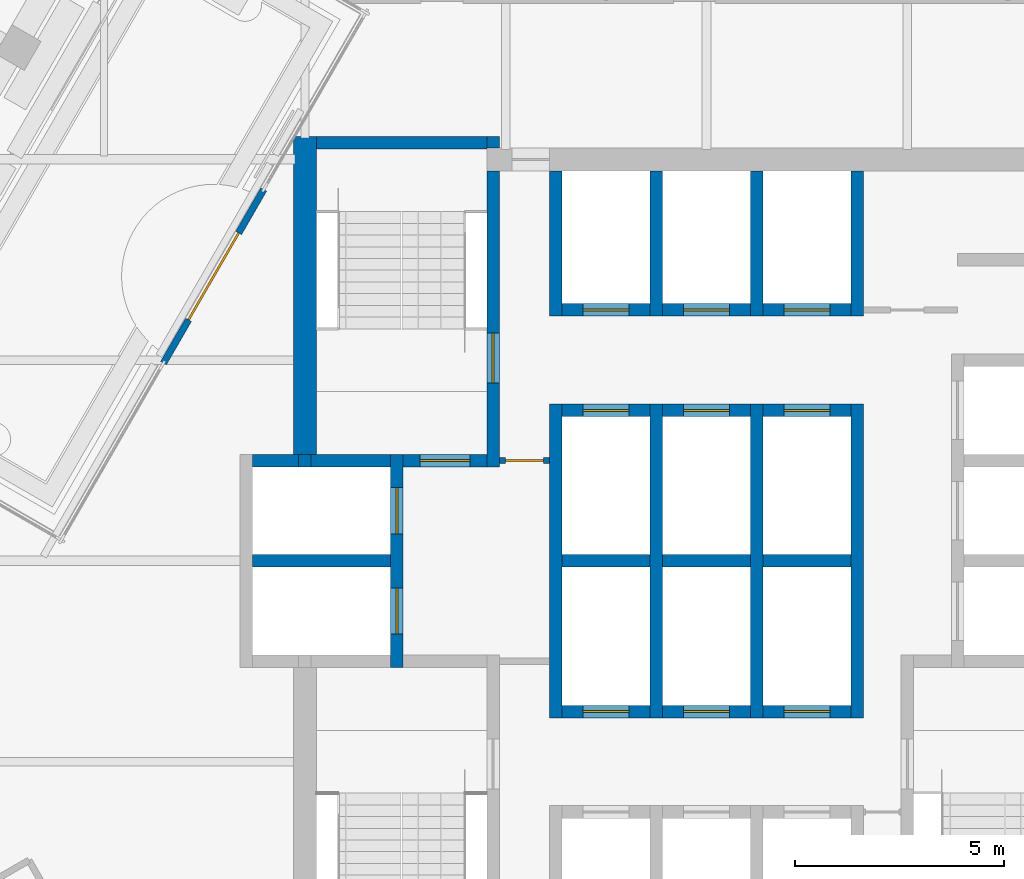
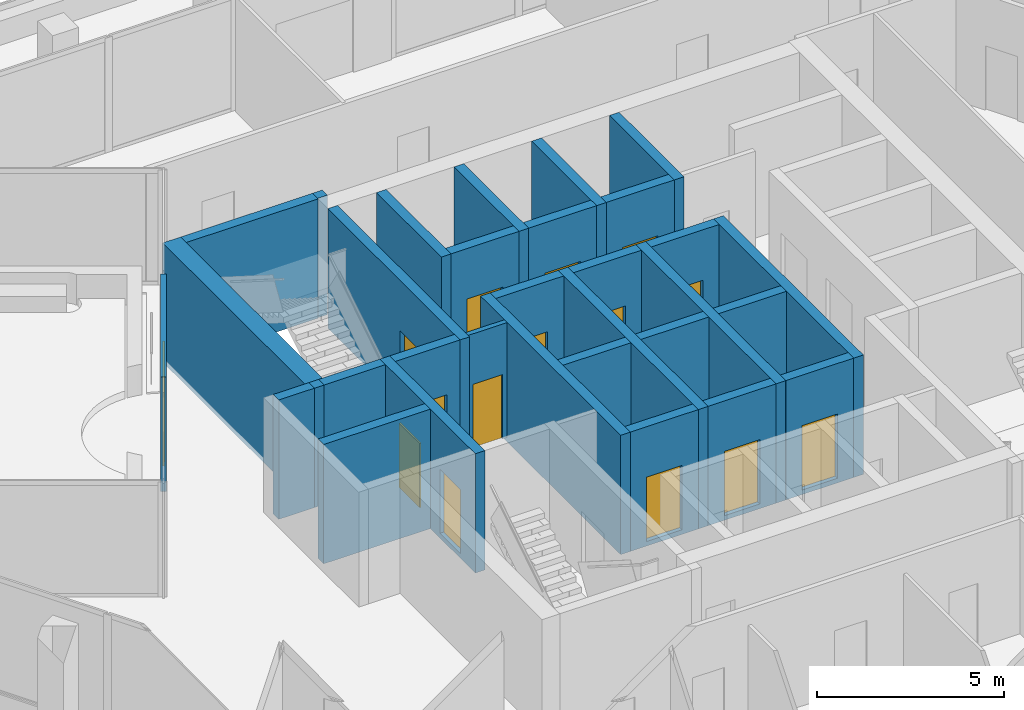
# One storey, part 11 of 16: 32 walls, 15 doors, 15 openings.
"""IFC4 building model written with IfcOpenShell, lengths in metres."""

from ifc_helpers import new_model, si_unit, direction, frame, frame_2d, origin, place, context, subcontext, project, spatial, rectangle, extrude, material, layer, layer_set, type_object, element, fill, save


model = new_model("IFC4")

# Units and contexts
model_context = context("Model", 3, precision=1e-05, world=origin(), true_north=direction((0.0, 1.0)))
body_context = subcontext(model_context, "Body", "Model", "MODEL_VIEW")
ifc_project = project(units=[si_unit("LENGTHUNIT", "METRE"), si_unit("AREAUNIT", "SQUARE_METRE"), si_unit("VOLUMEUNIT", "CUBIC_METRE"), si_unit("PLANEANGLEUNIT", "RADIAN"), si_unit("MASSUNIT", "GRAM", prefix="KILO")], contexts=[model_context])

# Site, building, storey
site_placement = place(None, origin())
site = spatial("IfcSite", under=ifc_project, at=site_placement, CompositionType="ELEMENT")
building_placement = place(site_placement, origin())
building = spatial("IfcBuilding", under=site, at=building_placement, Name="Kolab Exchange Tower", CompositionType="ELEMENT")
storey_placement = place(building_placement, frame((0.0, 0.0, 254.0)))
storey = spatial("IfcBuildingStorey", under=building, at=storey_placement, Name="L56", CompositionType="ELEMENT", Elevation=254.0)

# Wall
ifc_material_1 = material(Name="Concrete C50/60", Category="concrete")
ifc_layer_1 = layer(ifc_material_1, 0.550048828125)
ifc_layer_set_1 = layer_set([ifc_layer_1], Name="Concrete C50/60")
wall_type_1 = type_object("IfcWallType", Name="CORE WALL 550 C50/60", PredefinedType="SHEAR", material=ifc_layer_set_1)
wall_1_placement = place(storey_placement, frame((-9.60009765625, 2.550048828125, -0.14990234375), z_axis=(0.0, 0.0, 1.0), x_axis=(0.0, 1.0, 0.0)))
element("IfcWall", 1, at=wall_1_placement, inside=storey, type_object=wall_type_1, Name="wall/L56/core/037", PredefinedType="SHEAR", context=body_context, shape_type="SweptSolid", body=[
    extrude(rectangle(XDim=7.599853515625, YDim=0.550048828125, at=frame_2d((3.7998046875, 0.0))), origin(), (0.0, 0.0, 1.0), 3.89990234375),
])

# Wall, opening, door
ifc_material_2 = material(Name="Aluminium EN AW-6063 T6", Category="aluminium")
ifc_layer_2 = layer(ifc_material_2, 0.159912109375)
ifc_layer_set_2 = layer_set([ifc_layer_2], Name="Aluminium EN AW-6063 T6")
wall_type_2 = type_object("IfcWallType", Name="DOOR SURROUND WALL 160 ALUMINIUM FRAMED", PredefinedType="PARTITIONING", material=ifc_layer_set_2)
wall_2_placement = place(storey_placement, frame((-12.980224609375, 4.726806640625, 0.0), z_axis=(0.0, 0.0, 1.0), x_axis=(0.500011970786, 0.866018492338, 0.0)))
wall_2 = element("IfcWall", 2, at=wall_2_placement, inside=storey, type_object=wall_type_2, Name="Door surround wall", PredefinedType="PARTITIONING", context=body_context, shape_type="SweptSolid", body=[
    extrude(rectangle(XDim=4.79345703125, YDim=0.159912109375, at=frame_2d((2.396728515625, 0.0))), origin(), (0.0, 0.0, 1.0), 3.75),
])
opening_1_placement = place(wall_2_placement, frame((1.19677734375, 0.0, 0.0)))
opening_1 = element("IfcOpeningElement", 3, at=opening_1_placement, cuts=wall_2, Name="Opening GD1-107", PredefinedType="OPENING", context=body_context, shape_type="SweptSolid", body=[
    extrude(rectangle(XDim=2.39990234375, YDim=2.39990234375, at=frame_2d((1.199951171875, 1.199951171875))), frame((0.0, 0.08984375, 0.0), z_axis=(0.0, -1.0, 0.0), x_axis=(1.0, 0.0, 0.0)), (0.0, 0.0, 1.0), 0.179931640625),
])
door_type_1 = type_object("IfcDoorType", Name="LOGGIA SLIDING GLASS DOOR 2400 X 2400", OperationType="DOUBLE_DOOR_SINGLE_SWING", PredefinedType="DOOR", material=ifc_material_2)
door_1_placement = place(opening_1_placement, origin())
door_1 = element("IfcDoor", 4, at=door_1_placement, inside=storey, type_object=door_type_1, Name="Loggia door", OperationType="DOUBLE_DOOR_SLIDING", OverallHeight=2.39990234375, OverallWidth=2.39990234375, PredefinedType="DOOR", context=body_context, shape_type="SweptSolid", body=[
    extrude(rectangle(XDim=2.39990234375, YDim=2.39990234375, at=frame_2d((1.199951171875, 1.199951171875))), frame((0.0, 0.02490234375, 0.0), z_axis=(0.0, -1.0, 0.0), x_axis=(1.0, 0.0, 0.0)), (0.0, 0.0, 1.0), 0.050048828125),
])
fill(opening_1, door_1)

ifc_layer_3 = layer(ifc_material_1, 0.300048828125)
ifc_layer_set_3 = layer_set([ifc_layer_3], Name="Concrete C50/60")
wall_type_3 = type_object("IfcWallType", Name="LIFT SHAFT WALL 300 C50/60", PredefinedType="STANDARD", material=ifc_layer_set_3)
wall_3_placement = place(storey_placement, frame((-3.449951171875, -3.60009765625, -0.14990234375), z_axis=(0.0, 0.0, 1.0), x_axis=(1.0, 0.0, 0.0)))
wall_3 = element("IfcWall", 5, at=wall_3_placement, inside=storey, type_object=wall_type_3, Name="wall/L56/core/006", PredefinedType="STANDARD", context=body_context, shape_type="SweptSolid", body=[
    extrude(rectangle(XDim=2.099853515625, YDim=0.300048828125, at=frame_2d((1.0498046875, 0.0))), origin(), (0.0, 0.0, 1.0), 3.89990234375),
])
opening_2_placement = place(wall_3_placement, frame((0.5, 0.0, 0.14990234375)))
opening_2 = element("IfcOpeningElement", 6, at=opening_2_placement, cuts=wall_3, Name="Opening LD1-118", PredefinedType="OPENING", context=body_context, shape_type="SweptSolid", body=[
    extrude(rectangle(XDim=1.10009765625, YDim=2.10009765625, at=frame_2d((0.550048828125, 1.050048828125))), frame((0.0, 0.16015625, 0.0), z_axis=(0.0, -1.0, 0.0), x_axis=(1.0, 0.0, 0.0)), (0.0, 0.0, 1.0), 0.320068359375),
])
ifc_material_3 = material(Name="Stainless steel 316", Category="steel")
door_type_2 = type_object("IfcDoorType", Name="LANDING DOOR 1100 PASSENGER", OperationType="DOUBLE_DOOR_SLIDING", PredefinedType="DOOR", material=ifc_material_3)
door_2_placement = place(opening_2_placement, origin())
door_2 = element("IfcDoor", 7, at=door_2_placement, inside=storey, type_object=door_type_2, Name="Landing door HR7", OperationType="DOUBLE_DOOR_SLIDING", OverallHeight=2.10009765625, OverallWidth=1.10009765625, PredefinedType="DOOR", context=body_context, shape_type="SweptSolid", body=[
    extrude(rectangle(XDim=1.10009765625, YDim=2.10009765625, at=frame_2d((0.550048828125, 1.050048828125))), frame((0.0, 0.02490234375, 0.0), z_axis=(0.0, -1.0, 0.0), x_axis=(1.0, 0.0, 0.0)), (0.0, 0.0, 1.0), 0.050048828125),
])
fill(opening_2, door_2)

wall_4_placement = place(storey_placement, frame((-1.050048828125, -3.60009765625, -0.14990234375), z_axis=(0.0, 0.0, 1.0), x_axis=(1.0, 0.0, 0.0)))
wall_4 = element("IfcWall", 8, at=wall_4_placement, inside=storey, type_object=wall_type_3, Name="wall/L56/core/007", PredefinedType="STANDARD", context=body_context, shape_type="SweptSolid", body=[
    extrude(rectangle(XDim=2.10009765625, YDim=0.300048828125, at=frame_2d((1.050048828125, 0.0))), origin(), (0.0, 0.0, 1.0), 3.89990234375),
])
opening_3_placement = place(wall_4_placement, frame((0.5, 0.0, 0.14990234375)))
opening_3 = element("IfcOpeningElement", 9, at=opening_3_placement, cuts=wall_4, Name="Opening LD1-119", PredefinedType="OPENING", context=body_context, shape_type="SweptSolid", body=[
    extrude(rectangle(XDim=1.10009765625, YDim=2.10009765625, at=frame_2d((0.550048828125, 1.050048828125))), frame((0.0, 0.16015625, 0.0), z_axis=(0.0, -1.0, 0.0), x_axis=(1.0, 0.0, 0.0)), (0.0, 0.0, 1.0), 0.320068359375),
])
door_3_placement = place(opening_3_placement, origin())
door_3 = element("IfcDoor", 10, at=door_3_placement, inside=storey, type_object=door_type_2, Name="Landing door HR8", OperationType="DOUBLE_DOOR_SLIDING", OverallHeight=2.10009765625, OverallWidth=1.10009765625, PredefinedType="DOOR", context=body_context, shape_type="SweptSolid", body=[
    extrude(rectangle(XDim=1.10009765625, YDim=2.10009765625, at=frame_2d((0.550048828125, 1.050048828125))), frame((0.0, 0.02490234375, 0.0), z_axis=(0.0, -1.0, 0.0), x_axis=(1.0, 0.0, 0.0)), (0.0, 0.0, 1.0), 0.050048828125),
])
fill(opening_3, door_3)

wall_5_placement = place(storey_placement, frame((1.35009765625, -3.60009765625, -0.14990234375), z_axis=(0.0, 0.0, 1.0), x_axis=(1.0, 0.0, 0.0)))
wall_5 = element("IfcWall", 11, at=wall_5_placement, inside=storey, type_object=wall_type_3, Name="wall/L56/core/008", PredefinedType="STANDARD", context=body_context, shape_type="SweptSolid", body=[
    extrude(rectangle(XDim=2.099853515625, YDim=0.300048828125, at=frame_2d((1.0498046875, 0.0))), origin(), (0.0, 0.0, 1.0), 3.89990234375),
])
opening_4_placement = place(wall_5_placement, frame((0.5, 0.0, 0.14990234375)))
opening_4 = element("IfcOpeningElement", 12, at=opening_4_placement, cuts=wall_5, Name="Opening LD1-120", PredefinedType="OPENING", context=body_context, shape_type="SweptSolid", body=[
    extrude(rectangle(XDim=1.10009765625, YDim=2.10009765625, at=frame_2d((0.550048828125, 1.050048828125))), frame((0.0, 0.16015625, 0.0), z_axis=(0.0, -1.0, 0.0), x_axis=(1.0, 0.0, 0.0)), (0.0, 0.0, 1.0), 0.320068359375),
])
door_4_placement = place(opening_4_placement, origin())
door_4 = element("IfcDoor", 13, at=door_4_placement, inside=storey, type_object=door_type_2, Name="Landing door HR9", OperationType="DOUBLE_DOOR_SLIDING", OverallHeight=2.10009765625, OverallWidth=1.10009765625, PredefinedType="DOOR", context=body_context, shape_type="SweptSolid", body=[
    extrude(rectangle(XDim=1.10009765625, YDim=2.10009765625, at=frame_2d((0.550048828125, 1.050048828125))), frame((0.0, 0.02490234375, 0.0), z_axis=(0.0, -1.0, 0.0), x_axis=(1.0, 0.0, 0.0)), (0.0, 0.0, 1.0), 0.050048828125),
])
fill(opening_4, door_4)

# Walls
wall_6_placement = place(storey_placement, frame((-10.85009765625, 0.0, -0.14990234375), z_axis=(0.0, 0.0, 1.0), x_axis=(1.0, 0.0, 0.0)))
element("IfcWall", 14, at=wall_6_placement, inside=storey, type_object=wall_type_3, Name="wall/L56/core/014", PredefinedType="STANDARD", context=body_context, shape_type="SweptSolid", body=[
    extrude(rectangle(XDim=3.300048828125, YDim=0.300048828125, at=frame_2d((1.64990234375, 0.0))), origin(), (0.0, 0.0, 1.0), 3.89990234375),
])
wall_7_placement = place(storey_placement, frame((-3.449951171875, 0.0, -0.14990234375), z_axis=(0.0, 0.0, 1.0), x_axis=(1.0, 0.0, 0.0)))
element("IfcWall", 15, at=wall_7_placement, inside=storey, type_object=wall_type_3, Name="wall/L56/core/015", PredefinedType="STANDARD", context=body_context, shape_type="SweptSolid", body=[
    extrude(rectangle(XDim=2.099853515625, YDim=0.300048828125, at=frame_2d((1.0498046875, 0.0))), origin(), (0.0, 0.0, 1.0), 3.89990234375),
])
wall_8_placement = place(storey_placement, frame((-1.050048828125, 0.0, -0.14990234375), z_axis=(0.0, 0.0, 1.0), x_axis=(1.0, 0.0, 0.0)))
element("IfcWall", 16, at=wall_8_placement, inside=storey, type_object=wall_type_3, Name="wall/L56/core/016", PredefinedType="STANDARD", context=body_context, shape_type="SweptSolid", body=[
    extrude(rectangle(XDim=2.10009765625, YDim=0.300048828125, at=frame_2d((1.050048828125, 0.0))), origin(), (0.0, 0.0, 1.0), 3.89990234375),
])
wall_9_placement = place(storey_placement, frame((1.35009765625, 0.0, -0.14990234375), z_axis=(0.0, 0.0, 1.0), x_axis=(1.0, 0.0, 0.0)))
element("IfcWall", 17, at=wall_9_placement, inside=storey, type_object=wall_type_3, Name="wall/L56/core/017", PredefinedType="STANDARD", context=body_context, shape_type="SweptSolid", body=[
    extrude(rectangle(XDim=2.099853515625, YDim=0.300048828125, at=frame_2d((1.0498046875, 0.0))), origin(), (0.0, 0.0, 1.0), 3.89990234375),
])
wall_10_placement = place(storey_placement, frame((-10.85009765625, 2.39990234375, -0.14990234375), z_axis=(0.0, 0.0, 1.0), x_axis=(1.0, 0.0, 0.0)))
element("IfcWall", 18, at=wall_10_placement, inside=storey, type_object=wall_type_3, Name="wall/L56/core/019", PredefinedType="STANDARD", context=body_context, shape_type="SweptSolid", body=[
    extrude(rectangle(XDim=1.10009765625, YDim=0.300048828125, at=frame_2d((0.550048828125, 0.0))), origin(), (0.0, 0.0, 1.0), 3.89990234375),
])

# Wall, opening, door
wall_11_placement = place(storey_placement, frame((-3.449951171875, 3.60009765625, -0.14990234375), z_axis=(0.0, 0.0, 1.0), x_axis=(1.0, 0.0, 0.0)))
wall_11 = element("IfcWall", 19, at=wall_11_placement, inside=storey, type_object=wall_type_3, Name="wall/L56/core/023", PredefinedType="STANDARD", context=body_context, shape_type="SweptSolid", body=[
    extrude(rectangle(XDim=2.099853515625, YDim=0.300048828125, at=frame_2d((1.0498046875, 0.0))), origin(), (0.0, 0.0, 1.0), 3.89990234375),
])
opening_5_placement = place(wall_11_placement, frame((0.5, 0.0, 0.14990234375)))
opening_5 = element("IfcOpeningElement", 20, at=opening_5_placement, cuts=wall_11, Name="Opening LD1-115", PredefinedType="OPENING", context=body_context, shape_type="SweptSolid", body=[
    extrude(rectangle(XDim=1.10009765625, YDim=2.10009765625, at=frame_2d((0.550048828125, 1.050048828125))), frame((0.0, 0.16015625, 0.0), z_axis=(0.0, -1.0, 0.0), x_axis=(1.0, 0.0, 0.0)), (0.0, 0.0, 1.0), 0.320068359375),
])
door_5_placement = place(opening_5_placement, origin())
door_5 = element("IfcDoor", 21, at=door_5_placement, inside=storey, type_object=door_type_2, Name="Landing door HR4", OperationType="DOUBLE_DOOR_SLIDING", OverallHeight=2.10009765625, OverallWidth=1.10009765625, PredefinedType="DOOR", context=body_context, shape_type="SweptSolid", body=[
    extrude(rectangle(XDim=1.10009765625, YDim=2.10009765625, at=frame_2d((0.550048828125, 1.050048828125))), frame((0.0, 0.02490234375, 0.0), z_axis=(0.0, -1.0, 0.0), x_axis=(1.0, 0.0, 0.0)), (0.0, 0.0, 1.0), 0.050048828125),
])
fill(opening_5, door_5)

wall_12_placement = place(storey_placement, frame((-1.050048828125, 3.60009765625, -0.14990234375), z_axis=(0.0, 0.0, 1.0), x_axis=(1.0, 0.0, 0.0)))
wall_12 = element("IfcWall", 22, at=wall_12_placement, inside=storey, type_object=wall_type_3, Name="wall/L56/core/024", PredefinedType="STANDARD", context=body_context, shape_type="SweptSolid", body=[
    extrude(rectangle(XDim=2.10009765625, YDim=0.300048828125, at=frame_2d((1.050048828125, 0.0))), origin(), (0.0, 0.0, 1.0), 3.89990234375),
])
opening_6_placement = place(wall_12_placement, frame((0.5, 0.0, 0.14990234375)))
opening_6 = element("IfcOpeningElement", 23, at=opening_6_placement, cuts=wall_12, Name="Opening LD1-116", PredefinedType="OPENING", context=body_context, shape_type="SweptSolid", body=[
    extrude(rectangle(XDim=1.10009765625, YDim=2.10009765625, at=frame_2d((0.550048828125, 1.050048828125))), frame((0.0, 0.16015625, 0.0), z_axis=(0.0, -1.0, 0.0), x_axis=(1.0, 0.0, 0.0)), (0.0, 0.0, 1.0), 0.320068359375),
])
door_6_placement = place(opening_6_placement, origin())
door_6 = element("IfcDoor", 24, at=door_6_placement, inside=storey, type_object=door_type_2, Name="Landing door HR5", OperationType="DOUBLE_DOOR_SLIDING", OverallHeight=2.10009765625, OverallWidth=1.10009765625, PredefinedType="DOOR", context=body_context, shape_type="SweptSolid", body=[
    extrude(rectangle(XDim=1.10009765625, YDim=2.10009765625, at=frame_2d((0.550048828125, 1.050048828125))), frame((0.0, 0.02490234375, 0.0), z_axis=(0.0, -1.0, 0.0), x_axis=(1.0, 0.0, 0.0)), (0.0, 0.0, 1.0), 0.050048828125),
])
fill(opening_6, door_6)

wall_13_placement = place(storey_placement, frame((1.35009765625, 3.60009765625, -0.14990234375), z_axis=(0.0, 0.0, 1.0), x_axis=(1.0, 0.0, 0.0)))
wall_13 = element("IfcWall", 25, at=wall_13_placement, inside=storey, type_object=wall_type_3, Name="wall/L56/core/025", PredefinedType="STANDARD", context=body_context, shape_type="SweptSolid", body=[
    extrude(rectangle(XDim=2.099853515625, YDim=0.300048828125, at=frame_2d((1.0498046875, 0.0))), origin(), (0.0, 0.0, 1.0), 3.89990234375),
])
opening_7_placement = place(wall_13_placement, frame((0.5, 0.0, 0.14990234375)))
opening_7 = element("IfcOpeningElement", 26, at=opening_7_placement, cuts=wall_13, Name="Opening LD1-117", PredefinedType="OPENING", context=body_context, shape_type="SweptSolid", body=[
    extrude(rectangle(XDim=1.10009765625, YDim=2.10009765625, at=frame_2d((0.550048828125, 1.050048828125))), frame((0.0, 0.16015625, 0.0), z_axis=(0.0, -1.0, 0.0), x_axis=(1.0, 0.0, 0.0)), (0.0, 0.0, 1.0), 0.320068359375),
])
door_7_placement = place(opening_7_placement, origin())
door_7 = element("IfcDoor", 27, at=door_7_placement, inside=storey, type_object=door_type_2, Name="Landing door HR6", OperationType="DOUBLE_DOOR_SLIDING", OverallHeight=2.10009765625, OverallWidth=1.10009765625, PredefinedType="DOOR", context=body_context, shape_type="SweptSolid", body=[
    extrude(rectangle(XDim=1.10009765625, YDim=2.10009765625, at=frame_2d((0.550048828125, 1.050048828125))), frame((0.0, 0.02490234375, 0.0), z_axis=(0.0, -1.0, 0.0), x_axis=(1.0, 0.0, 0.0)), (0.0, 0.0, 1.0), 0.050048828125),
])
fill(opening_7, door_7)

wall_14_placement = place(storey_placement, frame((-3.449951171875, 6.0, -0.14990234375), z_axis=(0.0, 0.0, 1.0), x_axis=(1.0, 0.0, 0.0)))
wall_14 = element("IfcWall", 28, at=wall_14_placement, inside=storey, type_object=wall_type_3, Name="wall/L56/core/027", PredefinedType="STANDARD", context=body_context, shape_type="SweptSolid", body=[
    extrude(rectangle(XDim=2.099853515625, YDim=0.300048828125, at=frame_2d((1.0498046875, 0.0))), origin(), (0.0, 0.0, 1.0), 3.89990234375),
])
opening_8_placement = place(wall_14_placement, frame((0.5, 0.0, 0.14990234375)))
opening_8 = element("IfcOpeningElement", 29, at=opening_8_placement, cuts=wall_14, Name="Opening LD1-109", PredefinedType="OPENING", context=body_context, shape_type="SweptSolid", body=[
    extrude(rectangle(XDim=1.10009765625, YDim=2.10009765625, at=frame_2d((0.550048828125, 1.050048828125))), frame((0.0, 0.16015625, 0.0), z_axis=(0.0, -1.0, 0.0), x_axis=(1.0, 0.0, 0.0)), (0.0, 0.0, 1.0), 0.320068359375),
])
door_8_placement = place(opening_8_placement, origin())
door_8 = element("IfcDoor", 30, at=door_8_placement, inside=storey, type_object=door_type_2, Name="Landing door HR1", OperationType="DOUBLE_DOOR_SLIDING", OverallHeight=2.10009765625, OverallWidth=1.10009765625, PredefinedType="DOOR", context=body_context, shape_type="SweptSolid", body=[
    extrude(rectangle(XDim=1.10009765625, YDim=2.10009765625, at=frame_2d((0.550048828125, 1.050048828125))), frame((0.0, 0.02490234375, 0.0), z_axis=(0.0, -1.0, 0.0), x_axis=(1.0, 0.0, 0.0)), (0.0, 0.0, 1.0), 0.050048828125),
])
fill(opening_8, door_8)

wall_15_placement = place(storey_placement, frame((-1.050048828125, 6.0, -0.14990234375), z_axis=(0.0, 0.0, 1.0), x_axis=(1.0, 0.0, 0.0)))
wall_15 = element("IfcWall", 31, at=wall_15_placement, inside=storey, type_object=wall_type_3, Name="wall/L56/core/028", PredefinedType="STANDARD", context=body_context, shape_type="SweptSolid", body=[
    extrude(rectangle(XDim=2.10009765625, YDim=0.300048828125, at=frame_2d((1.050048828125, 0.0))), origin(), (0.0, 0.0, 1.0), 3.89990234375),
])
opening_9_placement = place(wall_15_placement, frame((0.5, 0.0, 0.14990234375)))
opening_9 = element("IfcOpeningElement", 32, at=opening_9_placement, cuts=wall_15, Name="Opening LD1-113", PredefinedType="OPENING", context=body_context, shape_type="SweptSolid", body=[
    extrude(rectangle(XDim=1.10009765625, YDim=2.10009765625, at=frame_2d((0.550048828125, 1.050048828125))), frame((0.0, 0.16015625, 0.0), z_axis=(0.0, -1.0, 0.0), x_axis=(1.0, 0.0, 0.0)), (0.0, 0.0, 1.0), 0.320068359375),
])
door_9_placement = place(opening_9_placement, origin())
door_9 = element("IfcDoor", 33, at=door_9_placement, inside=storey, type_object=door_type_2, Name="Landing door HR2", OperationType="DOUBLE_DOOR_SLIDING", OverallHeight=2.10009765625, OverallWidth=1.10009765625, PredefinedType="DOOR", context=body_context, shape_type="SweptSolid", body=[
    extrude(rectangle(XDim=1.10009765625, YDim=2.10009765625, at=frame_2d((0.550048828125, 1.050048828125))), frame((0.0, 0.02490234375, 0.0), z_axis=(0.0, -1.0, 0.0), x_axis=(1.0, 0.0, 0.0)), (0.0, 0.0, 1.0), 0.050048828125),
])
fill(opening_9, door_9)

wall_16_placement = place(storey_placement, frame((1.35009765625, 6.0, -0.14990234375), z_axis=(0.0, 0.0, 1.0), x_axis=(1.0, 0.0, 0.0)))
wall_16 = element("IfcWall", 34, at=wall_16_placement, inside=storey, type_object=wall_type_3, Name="wall/L56/core/029", PredefinedType="STANDARD", context=body_context, shape_type="SweptSolid", body=[
    extrude(rectangle(XDim=2.099853515625, YDim=0.300048828125, at=frame_2d((1.0498046875, 0.0))), origin(), (0.0, 0.0, 1.0), 3.89990234375),
])
opening_10_placement = place(wall_16_placement, frame((0.5, 0.0, 0.14990234375)))
opening_10 = element("IfcOpeningElement", 35, at=opening_10_placement, cuts=wall_16, Name="Opening LD1-114", PredefinedType="OPENING", context=body_context, shape_type="SweptSolid", body=[
    extrude(rectangle(XDim=1.10009765625, YDim=2.10009765625, at=frame_2d((0.550048828125, 1.050048828125))), frame((0.0, 0.16015625, 0.0), z_axis=(0.0, -1.0, 0.0), x_axis=(1.0, 0.0, 0.0)), (0.0, 0.0, 1.0), 0.320068359375),
])
door_10_placement = place(opening_10_placement, origin())
door_10 = element("IfcDoor", 36, at=door_10_placement, inside=storey, type_object=door_type_2, Name="Landing door HR3", OperationType="DOUBLE_DOOR_SLIDING", OverallHeight=2.10009765625, OverallWidth=1.10009765625, PredefinedType="DOOR", context=body_context, shape_type="SweptSolid", body=[
    extrude(rectangle(XDim=1.10009765625, YDim=2.10009765625, at=frame_2d((0.550048828125, 1.050048828125))), frame((0.0, 0.02490234375, 0.0), z_axis=(0.0, -1.0, 0.0), x_axis=(1.0, 0.0, 0.0)), (0.0, 0.0, 1.0), 0.050048828125),
])
fill(opening_10, door_10)

# Wall, openings, doors
wall_17_placement = place(storey_placement, frame((-7.39990234375, -2.550048828125, -0.14990234375), z_axis=(0.0, 0.0, 1.0), x_axis=(0.0, 1.0, 0.0)))
wall_17 = element("IfcWall", 37, at=wall_17_placement, inside=storey, type_object=wall_type_3, Name="wall/L56/core/038", PredefinedType="STANDARD", context=body_context, shape_type="SweptSolid", body=[
    extrude(rectangle(XDim=5.10009765625, YDim=0.300048828125, at=frame_2d((2.550048828125, 0.0))), origin(), (0.0, 0.0, 1.0), 3.89990234375),
])
opening_11_placement = place(wall_17_placement, frame((0.800048828125, 0.0, 0.14990234375)))
opening_11 = element("IfcOpeningElement", 38, at=opening_11_placement, cuts=wall_17, Name="Opening LD2-025", PredefinedType="OPENING", context=body_context, shape_type="SweptSolid", body=[
    extrude(rectangle(XDim=1.10009765625, YDim=2.10009765625, at=frame_2d((0.550048828125, 1.050048828125))), frame((0.0, 0.16015625, 0.0), z_axis=(0.0, -1.0, 0.0), x_axis=(1.0, 0.0, 0.0)), (0.0, 0.0, 1.0), 0.320068359375),
])
opening_12_placement = place(wall_17_placement, frame((3.199951171875, 0.0, 0.14990234375)))
opening_12 = element("IfcOpeningElement", 39, at=opening_12_placement, cuts=wall_17, Name="Opening LD2-026", PredefinedType="OPENING", context=body_context, shape_type="SweptSolid", body=[
    extrude(rectangle(XDim=1.10009765625, YDim=2.10009765625, at=frame_2d((0.550048828125, 1.050048828125))), frame((0.0, 0.16015625, 0.0), z_axis=(0.0, -1.0, 0.0), x_axis=(1.0, 0.0, 0.0)), (0.0, 0.0, 1.0), 0.320068359375),
])
door_type_3 = type_object("IfcDoorType", Name="LANDING DOOR 1100 FIREFIGHTING", OperationType="DOUBLE_DOOR_SLIDING", PredefinedType="DOOR", material=ifc_material_3)
door_11_placement = place(opening_11_placement, origin())
door_11 = element("IfcDoor", 40, at=door_11_placement, inside=storey, type_object=door_type_3, Name="Landing door FF1", OperationType="DOUBLE_DOOR_SLIDING", OverallHeight=2.10009765625, OverallWidth=1.10009765625, PredefinedType="DOOR", context=body_context, shape_type="SweptSolid", body=[
    extrude(rectangle(XDim=1.10009765625, YDim=2.10009765625, at=frame_2d((0.550048828125, 1.050048828125))), frame((0.0, 0.02490234375, 0.0), z_axis=(0.0, -1.0, 0.0), x_axis=(1.0, 0.0, 0.0)), (0.0, 0.0, 1.0), 0.050048828125),
])
fill(opening_11, door_11)
door_12_placement = place(opening_12_placement, origin())
door_12 = element("IfcDoor", 41, at=door_12_placement, inside=storey, type_object=door_type_3, Name="Landing door FF2", OperationType="DOUBLE_DOOR_SLIDING", OverallHeight=2.10009765625, OverallWidth=1.10009765625, PredefinedType="DOOR", context=body_context, shape_type="SweptSolid", body=[
    extrude(rectangle(XDim=1.10009765625, YDim=2.10009765625, at=frame_2d((0.550048828125, 1.050048828125))), frame((0.0, 0.02490234375, 0.0), z_axis=(0.0, -1.0, 0.0), x_axis=(1.0, 0.0, 0.0)), (0.0, 0.0, 1.0), 0.050048828125),
])
fill(opening_12, door_12)

# Walls
wall_18_placement = place(storey_placement, frame((-3.60009765625, -3.75, -0.14990234375), z_axis=(0.0, 0.0, 1.0), x_axis=(0.0, 1.0, 0.0)))
element("IfcWall", 42, at=wall_18_placement, inside=storey, type_object=wall_type_3, Name="wall/L56/core/044", PredefinedType="STANDARD", context=body_context, shape_type="SweptSolid", body=[
    extrude(rectangle(XDim=7.5, YDim=0.300048828125, at=frame_2d((3.75, 0.0))), origin(), (0.0, 0.0, 1.0), 3.89990234375),
])
wall_19_placement = place(storey_placement, frame((-3.60009765625, 5.85009765625, -0.14990234375), z_axis=(0.0, 0.0, 1.0), x_axis=(0.0, 1.0, 0.0)))
element("IfcWall", 43, at=wall_19_placement, inside=storey, type_object=wall_type_3, Name="wall/L56/core/045", PredefinedType="STANDARD", context=body_context, shape_type="SweptSolid", body=[
    extrude(rectangle(XDim=3.474853515625, YDim=0.300048828125, at=frame_2d((1.7373046875, 0.0))), origin(), (0.0, 0.0, 1.0), 3.89990234375),
])
wall_20_placement = place(storey_placement, frame((-1.199951171875, -3.75, -0.14990234375), z_axis=(0.0, 0.0, 1.0), x_axis=(0.0, 1.0, 0.0)))
element("IfcWall", 44, at=wall_20_placement, inside=storey, type_object=wall_type_3, Name="wall/L56/core/047", PredefinedType="STANDARD", context=body_context, shape_type="SweptSolid", body=[
    extrude(rectangle(XDim=7.5, YDim=0.300048828125, at=frame_2d((3.75, 0.0))), origin(), (0.0, 0.0, 1.0), 3.89990234375),
])
wall_21_placement = place(storey_placement, frame((-1.199951171875, 5.85009765625, -0.14990234375), z_axis=(0.0, 0.0, 1.0), x_axis=(0.0, 1.0, 0.0)))
element("IfcWall", 45, at=wall_21_placement, inside=storey, type_object=wall_type_3, Name="wall/L56/core/048", PredefinedType="STANDARD", context=body_context, shape_type="SweptSolid", body=[
    extrude(rectangle(XDim=3.474853515625, YDim=0.300048828125, at=frame_2d((1.7373046875, 0.0))), origin(), (0.0, 0.0, 1.0), 3.89990234375),
])
wall_22_placement = place(storey_placement, frame((1.199951171875, -3.75, -0.14990234375), z_axis=(0.0, 0.0, 1.0), x_axis=(0.0, 1.0, 0.0)))
element("IfcWall", 46, at=wall_22_placement, inside=storey, type_object=wall_type_3, Name="wall/L56/core/050", PredefinedType="STANDARD", context=body_context, shape_type="SweptSolid", body=[
    extrude(rectangle(XDim=7.5, YDim=0.300048828125, at=frame_2d((3.75, 0.0))), origin(), (0.0, 0.0, 1.0), 3.89990234375),
])
wall_23_placement = place(storey_placement, frame((1.199951171875, 5.85009765625, -0.14990234375), z_axis=(0.0, 0.0, 1.0), x_axis=(0.0, 1.0, 0.0)))
element("IfcWall", 47, at=wall_23_placement, inside=storey, type_object=wall_type_3, Name="wall/L56/core/051", PredefinedType="STANDARD", context=body_context, shape_type="SweptSolid", body=[
    extrude(rectangle(XDim=3.474853515625, YDim=0.300048828125, at=frame_2d((1.7373046875, 0.0))), origin(), (0.0, 0.0, 1.0), 3.89990234375),
])
wall_24_placement = place(storey_placement, frame((3.60009765625, -3.75, -0.14990234375), z_axis=(0.0, 0.0, 1.0), x_axis=(0.0, 1.0, 0.0)))
element("IfcWall", 48, at=wall_24_placement, inside=storey, type_object=wall_type_3, Name="wall/L56/core/053", PredefinedType="STANDARD", context=body_context, shape_type="SweptSolid", body=[
    extrude(rectangle(XDim=7.5, YDim=0.300048828125, at=frame_2d((3.75, 0.0))), origin(), (0.0, 0.0, 1.0), 3.89990234375),
])
wall_25_placement = place(storey_placement, frame((3.60009765625, 5.85009765625, -0.14990234375), z_axis=(0.0, 0.0, 1.0), x_axis=(0.0, 1.0, 0.0)))
element("IfcWall", 49, at=wall_25_placement, inside=storey, type_object=wall_type_3, Name="wall/L56/core/054", PredefinedType="STANDARD", context=body_context, shape_type="SweptSolid", body=[
    extrude(rectangle(XDim=3.474853515625, YDim=0.300048828125, at=frame_2d((1.7373046875, 0.0))), origin(), (0.0, 0.0, 1.0), 3.89990234375),
])

# Wall, opening, door
ifc_material_4 = material(Name="Gypsum board", Category="gypsum")
ifc_layer_4 = layer(ifc_material_4, 0.14990234375)
ifc_layer_set_4 = layer_set([ifc_layer_4], Name="Gypsum board")
wall_type_4 = type_object("IfcWallType", Name="PARTITION 150 FIRE-RATED", PredefinedType="PARTITIONING", material=ifc_layer_set_4)
wall_26_placement = place(storey_placement, frame((-4.949951171875, 2.39990234375, 0.0), z_axis=(0.0, 0.0, 1.0), x_axis=(1.0, 0.0, 0.0)))
wall_26 = element("IfcWall", 50, at=wall_26_placement, inside=storey, type_object=wall_type_4, Name="Fire partition", PredefinedType="PARTITIONING", context=body_context, shape_type="SweptSolid", body=[
    extrude(rectangle(XDim=1.199951171875, YDim=0.14990234375, at=frame_2d((0.60009765625, 0.0))), origin(), (0.0, 0.0, 1.0), 3.75),
])
opening_13_placement = place(wall_26_placement, frame((0.14990234375, 0.0, 0.0)))
opening_13 = element("IfcOpeningElement", 51, at=opening_13_placement, cuts=wall_26, Name="Opening D6-288", PredefinedType="OPENING", context=body_context, shape_type="SweptSolid", body=[
    extrude(rectangle(XDim=0.89990234375, YDim=2.10009765625, at=frame_2d((0.449951171875, 1.050048828125))), frame((0.0, 0.0849609375, 0.0), z_axis=(0.0, -1.0, 0.0), x_axis=(1.0, 0.0, 0.0)), (0.0, 0.0, 1.0), 0.169921875),
])
ifc_material_5 = material(Name="Steel S235", Category="steel")
door_type_4 = type_object("IfcDoorType", Name="CORE DOOR 900 EI 120", OperationType="SINGLE_SWING_LEFT", PredefinedType="DOOR", material=ifc_material_5)
door_13_placement = place(opening_13_placement, frame((0.89990234375, 0.0, 0.0), z_axis=(0.0, 0.0, 1.0), x_axis=(-1.0, 0.0, 0.0)))
door_13 = element("IfcDoor", 52, at=door_13_placement, inside=storey, type_object=door_type_4, Name="Firefighting lobby door", OperationType="SINGLE_SWING_RIGHT", OverallHeight=2.10009765625, OverallWidth=0.89990234375, PredefinedType="DOOR", context=body_context, shape_type="SweptSolid", body=[
    extrude(rectangle(XDim=0.89990234375, YDim=2.10009765625, at=frame_2d((0.449951171875, 1.050048828125))), frame((0.0, 0.02490234375, 0.0), z_axis=(0.0, -1.0, 0.0), x_axis=(1.0, 0.0, 0.0)), (0.0, 0.0, 1.0), 0.050048828125),
])
fill(opening_13, door_13)

# Wall
ifc_layer_5 = layer(ifc_material_1, 0.300048828125)
ifc_layer_set_5 = layer_set([ifc_layer_5], Name="Concrete C50/60")
wall_type_5 = type_object("IfcWallType", Name="STAIR ENCLOSURE WALL 300 C50/60", PredefinedType="STANDARD", material=ifc_layer_set_5)
wall_27_placement = place(storey_placement, frame((-9.449951171875, 2.39990234375, -0.14990234375), z_axis=(0.0, 0.0, 1.0), x_axis=(1.0, 0.0, 0.0)))
element("IfcWall", 53, at=wall_27_placement, inside=storey, type_object=wall_type_5, Name="wall/L56/core/020", PredefinedType="STANDARD", context=body_context, shape_type="SweptSolid", body=[
    extrude(rectangle(XDim=1.89990234375, YDim=0.300048828125, at=frame_2d((0.949951171875, 0.0))), origin(), (0.0, 0.0, 1.0), 3.89990234375),
])

# Wall, opening, door
wall_28_placement = place(storey_placement, frame((-7.25, 2.39990234375, -0.14990234375), z_axis=(0.0, 0.0, 1.0), x_axis=(1.0, 0.0, 0.0)))
wall_28 = element("IfcWall", 54, at=wall_28_placement, inside=storey, type_object=wall_type_5, Name="wall/L56/core/021", PredefinedType="STANDARD", context=body_context, shape_type="SweptSolid", body=[
    extrude(rectangle(XDim=2.0, YDim=0.300048828125, at=frame_2d((1.0, 0.0))), origin(), (0.0, 0.0, 1.0), 3.89990234375),
])
opening_14_placement = place(wall_28_placement, frame((0.39990234375, 0.0, 0.14990234375)))
opening_14 = element("IfcOpeningElement", 55, at=opening_14_placement, cuts=wall_28, Name="Opening D4-065", PredefinedType="OPENING", context=body_context, shape_type="SweptSolid", body=[
    extrude(rectangle(XDim=1.199951171875, YDim=2.10009765625, at=frame_2d((0.60009765625, 1.050048828125))), frame((0.0, 0.16015625, 0.0), z_axis=(0.0, -1.0, 0.0), x_axis=(1.0, 0.0, 0.0)), (0.0, 0.0, 1.0), 0.320068359375),
])
door_type_5 = type_object("IfcDoorType", Name="STAIR DOOR 1200 EI 120", OperationType="SINGLE_SWING_LEFT", PredefinedType="DOOR", material=ifc_material_5)
door_14_placement = place(opening_14_placement, origin())
door_14 = element("IfcDoor", 56, at=door_14_placement, inside=storey, type_object=door_type_5, Name="Stair 1 door", OperationType="SINGLE_SWING_RIGHT", OverallHeight=2.10009765625, OverallWidth=1.199951171875, PredefinedType="DOOR", context=body_context, shape_type="SweptSolid", body=[
    extrude(rectangle(XDim=1.199951171875, YDim=2.10009765625, at=frame_2d((0.60009765625, 1.050048828125))), frame((0.0, 0.02490234375, 0.0), z_axis=(0.0, -1.0, 0.0), x_axis=(1.0, 0.0, 0.0)), (0.0, 0.0, 1.0), 0.050048828125),
])
fill(opening_14, door_14)

# Walls
wall_29_placement = place(storey_placement, frame((-9.324951171875, 10.0, -0.14990234375), z_axis=(0.0, 0.0, 1.0), x_axis=(1.0, 0.0, 0.0)))
element("IfcWall", 57, at=wall_29_placement, inside=storey, type_object=wall_type_5, Name="wall/L56/core/032", PredefinedType="STANDARD", context=body_context, shape_type="SweptSolid", body=[
    extrude(rectangle(XDim=4.074951171875, YDim=0.300048828125, at=frame_2d((2.03759765625, 0.0))), origin(), (0.0, 0.0, 1.0), 3.89990234375),
])
wall_30_placement = place(storey_placement, frame((-9.60009765625, 2.25, -0.14990234375), z_axis=(0.0, 0.0, 1.0), x_axis=(0.0, 1.0, 0.0)))
element("IfcWall", 58, at=wall_30_placement, inside=storey, type_object=wall_type_5, Name="wall/L56/core/036", PredefinedType="STANDARD", context=body_context, shape_type="SweptSolid", body=[
    extrude(rectangle(XDim=0.300048828125, YDim=0.300048828125, at=frame_2d((0.14990234375, 0.0))), origin(), (0.0, 0.0, 1.0), 3.89990234375),
])

# Wall, opening, door
wall_31_placement = place(storey_placement, frame((-5.10009765625, 2.25, -0.14990234375), z_axis=(0.0, 0.0, 1.0), x_axis=(0.0, 1.0, 0.0)))
wall_31 = element("IfcWall", 59, at=wall_31_placement, inside=storey, type_object=wall_type_5, Name="wall/L56/core/041", PredefinedType="STANDARD", context=body_context, shape_type="SweptSolid", body=[
    extrude(rectangle(XDim=7.074951171875, YDim=0.300048828125, at=frame_2d((3.53759765625, 0.0))), origin(), (0.0, 0.0, 1.0), 3.89990234375),
])
opening_15_placement = place(wall_31_placement, frame((2.0, 0.0, 0.14990234375)))
opening_15 = element("IfcOpeningElement", 60, at=opening_15_placement, cuts=wall_31, Name="Opening D4-076", PredefinedType="OPENING", context=body_context, shape_type="SweptSolid", body=[
    extrude(rectangle(XDim=1.199951171875, YDim=2.10009765625, at=frame_2d((0.60009765625, 1.050048828125))), frame((0.0, 0.16015625, 0.0), z_axis=(0.0, -1.0, 0.0), x_axis=(1.0, 0.0, 0.0)), (0.0, 0.0, 1.0), 0.320068359375),
])
door_15_placement = place(opening_15_placement, origin())
door_15 = element("IfcDoor", 61, at=door_15_placement, inside=storey, type_object=door_type_5, Name="Stair 1 door", OperationType="SINGLE_SWING_LEFT", OverallHeight=2.10009765625, OverallWidth=1.199951171875, PredefinedType="DOOR", context=body_context, shape_type="SweptSolid", body=[
    extrude(rectangle(XDim=1.199951171875, YDim=2.10009765625, at=frame_2d((0.60009765625, 1.050048828125))), frame((0.0, 0.02490234375, 0.0), z_axis=(0.0, -1.0, 0.0), x_axis=(1.0, 0.0, 0.0)), (0.0, 0.0, 1.0), 0.050048828125),
])
fill(opening_15, door_15)

# Wall
wall_32_placement = place(storey_placement, frame((-5.10009765625, 9.875, -0.14990234375), z_axis=(0.0, 0.0, 1.0), x_axis=(0.0, 1.0, 0.0)))
element("IfcWall", 62, at=wall_32_placement, inside=storey, type_object=wall_type_5, Name="wall/L56/core/042", PredefinedType="STANDARD", context=body_context, shape_type="SweptSolid", body=[
    extrude(rectangle(XDim=0.27490234375, YDim=0.300048828125, at=frame_2d((0.137451171875, 0.0))), origin(), (0.0, 0.0, 1.0), 3.89990234375),
])

save(model, "model.ifc")
